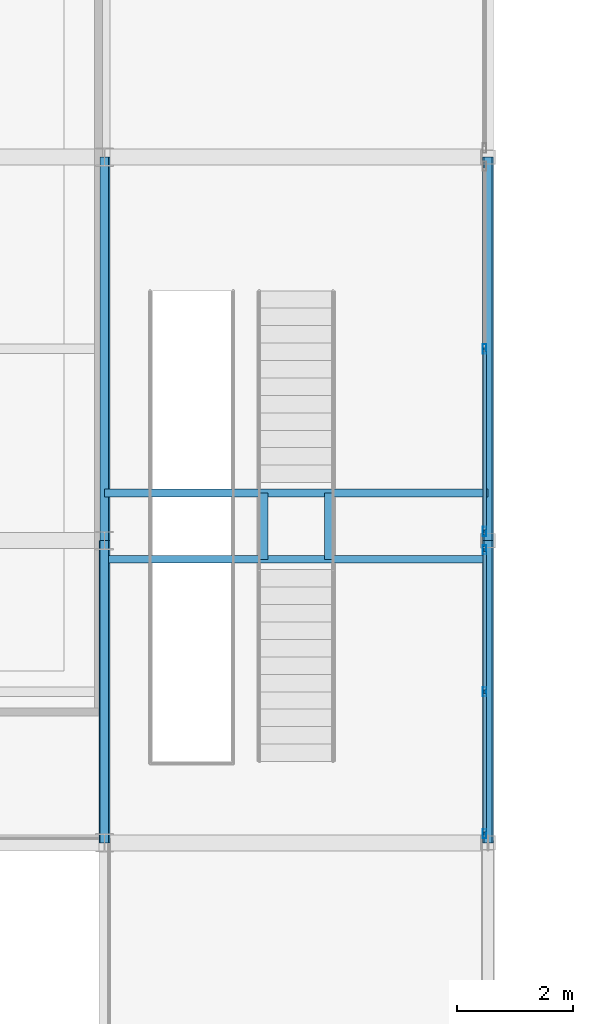
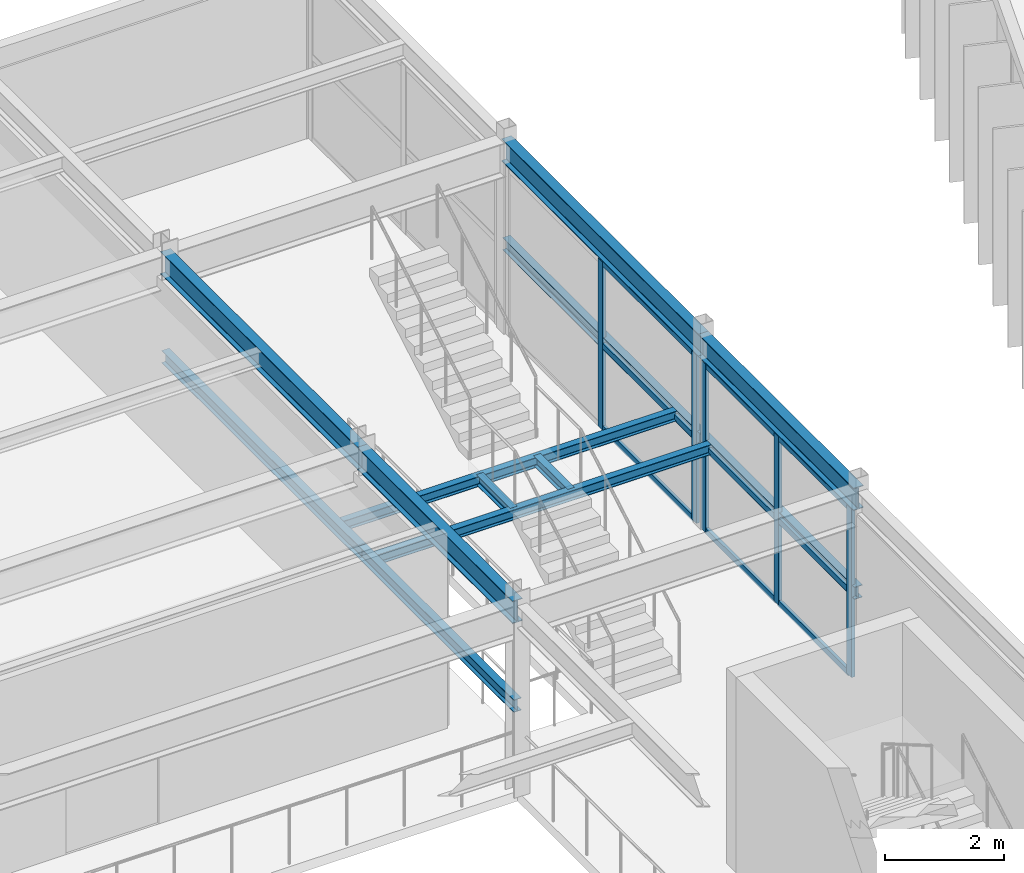
# One storey, part 40 of 147: 14 members, 12 beams, 2 elements without a shape of their own.
"""IFC4 building model written with IfcOpenShell, lengths in metres."""

from ifc_helpers import new_model, si_unit, direction, frame, origin, origin_2d, place, context, subcontext, project, spatial, hollow_rectangle, i_section, extrude, material, material_profile, profile_set, type_object, element, aggregate, save


model = new_model("IFC4")

# Units and contexts
model_context = context("Model", 3, precision=1e-05, world=origin(), true_north=direction((0.0, 1.0)))
body_context = subcontext(model_context, "Body", "Model", "MODEL_VIEW")
ifc_project = project(units=[si_unit("LENGTHUNIT", "METRE"), si_unit("AREAUNIT", "SQUARE_METRE"), si_unit("VOLUMEUNIT", "CUBIC_METRE"), si_unit("PLANEANGLEUNIT", "RADIAN"), si_unit("MASSUNIT", "GRAM", prefix="KILO")], contexts=[model_context])

# Site, building, storey
site_placement = place(None, origin())
site = spatial("IfcSite", under=ifc_project, at=site_placement, CompositionType="ELEMENT")
building_placement = place(site_placement, origin())
building = spatial("IfcBuilding", under=site, at=building_placement, Name="Karori Crest Natural Sciences Institute", CompositionType="ELEMENT")
storey_placement = place(building_placement, frame((0.0, 0.0, 9.10009765625)))
storey = spatial("IfcBuildingStorey", under=building, at=storey_placement, Name="L02", CompositionType="ELEMENT", Elevation=9.10009765625)

# Beams
ifc_material_1 = material(Name="Structural steel AS/NZS 3679.1 Grade 350", Category="steel")
ifc_material_profile_1 = material_profile(ifc_material_1, i_section(OverallWidth=0.19091796875, OverallDepth=0.4599609375, WebThickness=0.010009765625, FlangeThickness=0.01611328125, FilletRadius=0.010986328125, at=origin_2d()), Name="460UB82.1")
ifc_profile_set_1 = profile_set([ifc_material_profile_1], Name="Structural steel AS/NZS 3679.1 Grade 350")
beam_type_1 = type_object("IfcBeamType", Name="BT-06", PredefinedType="BEAM", material=ifc_profile_set_1)
beam_1_placement = place(storey_placement, frame((20.60009765625, 55.0, 3.68994140625), z_axis=(0.0, 1.0, 0.0), x_axis=(-1.0, 0.0, 0.0)))
element("IfcBeam", 1, at=beam_1_placement, inside=storey, type_object=beam_type_1, Name="Beam B-1114", PredefinedType="BEAM", context=body_context, shape_type="SweptSolid", body=[
    extrude(i_section(OverallWidth=0.19091796875, OverallDepth=0.4599609375, WebThickness=0.010009765625, FlangeThickness=0.01611328125, FilletRadius=0.010986328125, at=origin_2d()), origin(), (0.0, 0.0, 1.0), 5.199951171875),
])
beam_2_placement = place(storey_placement, frame((20.60009765625, 60.199951171875, 3.68994140625), z_axis=(0.0, 1.0, 0.0), x_axis=(-1.0, 0.0, 0.0)))
element("IfcBeam", 2, at=beam_2_placement, inside=storey, type_object=beam_type_1, Name="Beam B-1115", PredefinedType="BEAM", context=body_context, shape_type="SweptSolid", body=[
    extrude(i_section(OverallWidth=0.19091796875, OverallDepth=0.4599609375, WebThickness=0.010009765625, FlangeThickness=0.01611328125, FilletRadius=0.010986328125, at=origin_2d()), origin(), (0.0, 0.0, 1.0), 6.60009765625),
])
ifc_material_profile_2 = material_profile(ifc_material_1, i_section(OverallWidth=0.19091796875, OverallDepth=0.4599609375, WebThickness=0.010009765625, FlangeThickness=0.01611328125, FilletRadius=0.010986328125, at=origin_2d()), Name="460UB82.1")
ifc_profile_set_2 = profile_set([ifc_material_profile_2], Name="Structural steel AS/NZS 3679.1 Grade 350")
beam_type_2 = type_object("IfcBeamType", Name="BT-06-EL", PredefinedType="BEAM", material=ifc_profile_set_2)
beam_3_placement = place(storey_placement, frame((27.199951171875, 55.0, 3.68994140625), z_axis=(0.0, 1.0, 0.0), x_axis=(-1.0, 0.0, 0.0)))
element("IfcBeam", 3, at=beam_3_placement, inside=storey, type_object=beam_type_2, Name="Beam B-1121", PredefinedType="BEAM", context=body_context, shape_type="SweptSolid", body=[
    extrude(i_section(OverallWidth=0.19091796875, OverallDepth=0.4599609375, WebThickness=0.010009765625, FlangeThickness=0.01611328125, FilletRadius=0.010986328125, at=origin_2d()), origin(), (0.0, 0.0, 1.0), 5.199951171875),
])
beam_4_placement = place(storey_placement, frame((27.199951171875, 60.199951171875, 3.68994140625), z_axis=(0.0, 1.0, 0.0), x_axis=(-1.0, 0.0, 0.0)))
element("IfcBeam", 4, at=beam_4_placement, inside=storey, type_object=beam_type_2, Name="Beam B-1122", PredefinedType="BEAM", context=body_context, shape_type="SweptSolid", body=[
    extrude(i_section(OverallWidth=0.19091796875, OverallDepth=0.4599609375, WebThickness=0.010009765625, FlangeThickness=0.01611328125, FilletRadius=0.010986328125, at=origin_2d()), origin(), (0.0, 0.0, 1.0), 6.60009765625),
])
ifc_material_profile_3 = material_profile(ifc_material_1, i_section(OverallWidth=0.14599609375, OverallDepth=0.256103515625, WebThickness=0.00634765625, FlangeThickness=0.010986328125, FilletRadius=0.009033203125, at=origin_2d()), Name="250UB37.3")
ifc_profile_set_3 = profile_set([ifc_material_profile_3], Name="Structural steel AS/NZS 3679.1 Grade 350")
beam_type_3 = type_object("IfcBeamType", Name="BT-11-IL", PredefinedType="BEAM", material=ifc_profile_set_3)
beam_5_placement = place(storey_placement, frame((20.60009765625, 55.0, 1.761962890625), z_axis=(0.0, 1.0, 0.0), x_axis=(-1.0, 0.0, 0.0)))
element("IfcBeam", 5, at=beam_5_placement, inside=storey, type_object=beam_type_3, Name="Stair stringer girder ST-13", PredefinedType="BEAM", context=body_context, shape_type="SweptSolid", body=[
    extrude(i_section(OverallWidth=0.14599609375, OverallDepth=0.256103515625, WebThickness=0.00634765625, FlangeThickness=0.010986328125, FilletRadius=0.009033203125, at=origin_2d()), origin(), (0.0, 0.0, 1.0), 5.199951171875),
])
beam_6_placement = place(storey_placement, frame((20.60009765625, 60.199951171875, 1.761962890625), z_axis=(0.0, 1.0, 0.0), x_axis=(-1.0, 0.0, 0.0)))
element("IfcBeam", 6, at=beam_6_placement, inside=storey, type_object=beam_type_3, Name="Stair stringer girder ST-13", PredefinedType="BEAM", context=body_context, shape_type="SweptSolid", body=[
    extrude(i_section(OverallWidth=0.14599609375, OverallDepth=0.256103515625, WebThickness=0.00634765625, FlangeThickness=0.010986328125, FilletRadius=0.009033203125, at=origin_2d()), origin(), (0.0, 0.0, 1.0), 6.60009765625),
])
beam_7_placement = place(storey_placement, frame((27.199951171875, 55.0, 1.761962890625), z_axis=(0.0, 1.0, 0.0), x_axis=(-1.0, 0.0, 0.0)))
element("IfcBeam", 7, at=beam_7_placement, inside=storey, type_object=beam_type_3, Name="Stair stringer girder ST-13", PredefinedType="BEAM", context=body_context, shape_type="SweptSolid", body=[
    extrude(i_section(OverallWidth=0.14599609375, OverallDepth=0.256103515625, WebThickness=0.00634765625, FlangeThickness=0.010986328125, FilletRadius=0.009033203125, at=origin_2d()), origin(), (0.0, 0.0, 1.0), 5.199951171875),
])
beam_8_placement = place(storey_placement, frame((27.199951171875, 60.199951171875, 1.761962890625), z_axis=(0.0, 1.0, 0.0), x_axis=(-1.0, 0.0, 0.0)))
element("IfcBeam", 8, at=beam_8_placement, inside=storey, type_object=beam_type_3, Name="Stair stringer girder ST-13", PredefinedType="BEAM", context=body_context, shape_type="SweptSolid", body=[
    extrude(i_section(OverallWidth=0.14599609375, OverallDepth=0.256103515625, WebThickness=0.00634765625, FlangeThickness=0.010986328125, FilletRadius=0.009033203125, at=origin_2d()), origin(), (0.0, 0.0, 1.0), 6.60009765625),
])
ifc_material_profile_4 = material_profile(ifc_material_1, i_section(OverallWidth=0.134033203125, OverallDepth=0.20703125, WebThickness=0.00634765625, FlangeThickness=0.009521484375, FilletRadius=0.009033203125, at=origin_2d()), Name="200UB29.8")
ifc_profile_set_4 = profile_set([ifc_material_profile_4], Name="Structural steel AS/NZS 3679.1 Grade 350")
beam_type_4 = type_object("IfcBeamType", Name="BT-13-IL", PredefinedType="BEAM", material=ifc_profile_set_4)
for number, where, z_axis, x_axis, name in (
    (9, (20.60009765625, 59.8798828125, 1.785888671875), (1.0, 0.0, 0.0), (0.0, 1.0, 0.0), "Stair landing trimmer ST-13"),
    (10, (20.60009765625, 61.02001953125, 1.785888671875), (1.0, 0.0, 0.0), (0.0, 1.0, 0.0), "Stair landing trimmer ST-13"),
):
    element("IfcBeam", number, at=place(storey_placement, frame(where, z_axis=z_axis, x_axis=x_axis)), inside=storey, type_object=beam_type_4, Name=name, PredefinedType="BEAM", context=body_context, shape_type="SweptSolid", body=[
        extrude(i_section(OverallWidth=0.134033203125, OverallDepth=0.20703125, WebThickness=0.00634765625, FlangeThickness=0.009521484375, FilletRadius=0.009033203125, at=origin_2d()), origin(), (0.0, 0.0, 1.0), 6.599853515625),
    ])
for number, where, z_axis, x_axis, name in (
    (11, (23.344970703125, 59.8798828125, 1.785888671875), (0.0, 1.0, 0.0), (-1.0, 0.0, 0.0), "Stair landing joist ST-13"),
    (12, (24.455078125, 59.8798828125, 1.785888671875), (0.0, 1.0, 0.0), (-1.0, 0.0, 0.0), "Stair landing joist ST-13"),
):
    element("IfcBeam", number, at=place(storey_placement, frame(where, z_axis=z_axis, x_axis=x_axis)), inside=storey, type_object=beam_type_4, Name=name, PredefinedType="BEAM", context=body_context, shape_type="SweptSolid", body=[
        extrude(i_section(OverallWidth=0.134033203125, OverallDepth=0.20703125, WebThickness=0.00634765625, FlangeThickness=0.009521484375, FilletRadius=0.009033203125, at=origin_2d()), origin(), (0.0, 0.0, 1.0), 1.14013671875),
    ])

# Curtain wall, members
ifc_material_2 = material(Name="Anodised architectural aluminium 6063-T6", Category="aluminium")
curtain_wall_type = type_object("IfcCurtainWallType", Name="CWT-18", PredefinedType="NOTDEFINED", material=ifc_material_2)
curtain_wall_1_placement = place(storey_placement, origin())
curtain_wall_1 = element("IfcCurtainWall", 13, at=curtain_wall_1_placement, inside=storey, type_object=curtain_wall_type, Name="Curtain wall CW-0275", PredefinedType="NOTDEFINED")
ifc_material_profile_5 = material_profile(ifc_material_2, hollow_rectangle(XDim=0.06494140625, YDim=0.159912109375, WallThickness=0.00390625, at=origin_2d()), Name="CWM160x65x4")
ifc_profile_set_5 = profile_set([ifc_material_profile_5], Name="Anodised architectural aluminium 6063-T6")
member_type_1 = type_object("IfcMemberType", Name="CWM-01", PredefinedType="MULLION", material=ifc_profile_set_5)
member_1_placement = place(storey_placement, frame((27.139892578125, 60.04443359375, 0.0), z_axis=(0.0, 0.0, 1.0), x_axis=(1.0, 0.0, 0.0)))
member_1 = element("IfcMember", 14, at=member_1_placement, type_object=member_type_1, Name="CW-0275 mullion 1", PredefinedType="MULLION", context=body_context, shape_type="SweptSolid", body=[
    extrude(hollow_rectangle(XDim=0.06494140625, YDim=0.159912109375, WallThickness=0.00390625, at=origin_2d()), origin(), (0.0, 0.0, 1.0), 3.44482421875),
])
member_2_placement = place(storey_placement, frame((27.139892578125, 57.60009765625, 0.0), z_axis=(0.0, 0.0, 1.0), x_axis=(1.0, 0.0, 0.0)))
member_2 = element("IfcMember", 15, at=member_2_placement, type_object=member_type_1, Name="CW-0275 mullion 2", PredefinedType="MULLION", context=body_context, shape_type="SweptSolid", body=[
    extrude(hollow_rectangle(XDim=0.06494140625, YDim=0.159912109375, WallThickness=0.00390625, at=origin_2d()), origin(), (0.0, 0.0, 1.0), 3.44482421875),
])
member_3_placement = place(storey_placement, frame((27.139892578125, 55.155517578125, 0.0), z_axis=(0.0, 0.0, 1.0), x_axis=(1.0, 0.0, 0.0)))
member_3 = element("IfcMember", 16, at=member_3_placement, type_object=member_type_1, Name="CW-0275 mullion 3", PredefinedType="MULLION", context=body_context, shape_type="SweptSolid", body=[
    extrude(hollow_rectangle(XDim=0.06494140625, YDim=0.159912109375, WallThickness=0.00390625, at=origin_2d()), origin(), (0.0, 0.0, 1.0), 3.44482421875),
])

curtain_wall_2_placement = place(storey_placement, origin())
curtain_wall_2 = element("IfcCurtainWall", 17, at=curtain_wall_2_placement, inside=storey, type_object=curtain_wall_type, Name="Curtain wall CW-0276", PredefinedType="NOTDEFINED")
member_4_placement = place(storey_placement, frame((27.139892578125, 63.5, 0.0), z_axis=(0.0, 0.0, 1.0), x_axis=(1.0, 0.0, 0.0)))
member_4 = element("IfcMember", 18, at=member_4_placement, type_object=member_type_1, Name="CW-0276 mullion 2", PredefinedType="MULLION", context=body_context, shape_type="SweptSolid", body=[
    extrude(hollow_rectangle(XDim=0.06494140625, YDim=0.159912109375, WallThickness=0.00390625, at=origin_2d()), origin(), (0.0, 0.0, 1.0), 3.44482421875),
])
member_5_placement = place(storey_placement, frame((27.139892578125, 60.35546875, 0.0), z_axis=(0.0, 0.0, 1.0), x_axis=(1.0, 0.0, 0.0)))
member_5 = element("IfcMember", 19, at=member_5_placement, type_object=member_type_1, Name="CW-0276 mullion 3", PredefinedType="MULLION", context=body_context, shape_type="SweptSolid", body=[
    extrude(hollow_rectangle(XDim=0.06494140625, YDim=0.159912109375, WallThickness=0.00390625, at=origin_2d()), origin(), (0.0, 0.0, 1.0), 3.44482421875),
])

# Member
ifc_material_profile_6 = material_profile(ifc_material_2, hollow_rectangle(XDim=0.06005859375, YDim=0.1201171875, WallThickness=0.00390625, at=origin_2d()), Name="CWT120x60x4")
ifc_profile_set_6 = profile_set([ifc_material_profile_6], Name="Anodised architectural aluminium 6063-T6")
member_type_2 = type_object("IfcMemberType", Name="CWT-TR1", PredefinedType="USERDEFINED", material=ifc_profile_set_6)
member_6_placement = place(storey_placement, frame((27.139892578125, 60.011962890625, 0.02978515625), z_axis=(0.0, -1.0, 0.0), x_axis=(1.0, 0.0, 0.0)))
member_6 = element("IfcMember", 20, at=member_6_placement, type_object=member_type_2, Name="CW-0275 transom 1.1", ObjectType="TRANSOM", PredefinedType="USERDEFINED", context=body_context, shape_type="SweptSolid", body=[
    extrude(hollow_rectangle(XDim=0.06005859375, YDim=0.1201171875, WallThickness=0.00390625, at=origin_2d()), origin(), (0.0, 0.0, 1.0), 2.37939453125),
])

member_7_placement = place(storey_placement, frame((27.139892578125, 60.011962890625, 1.722412109375), z_axis=(0.0, -1.0, 0.0), x_axis=(1.0, 0.0, 0.0)))
member_7 = element("IfcMember", 21, at=member_7_placement, type_object=member_type_2, Name="CW-0275 transom 1.2", ObjectType="TRANSOM", PredefinedType="USERDEFINED", context=body_context, shape_type="SweptSolid", body=[
    extrude(hollow_rectangle(XDim=0.06005859375, YDim=0.1201171875, WallThickness=0.00390625, at=origin_2d()), origin(), (0.0, 0.0, 1.0), 2.37939453125),
])

member_8_placement = place(storey_placement, frame((27.139892578125, 60.011962890625, 3.414794921875), z_axis=(0.0, -1.0, 0.0), x_axis=(1.0, 0.0, 0.0)))
member_8 = element("IfcMember", 22, at=member_8_placement, type_object=member_type_2, Name="CW-0275 transom 1.3", ObjectType="TRANSOM", PredefinedType="USERDEFINED", context=body_context, shape_type="SweptSolid", body=[
    extrude(hollow_rectangle(XDim=0.06005859375, YDim=0.1201171875, WallThickness=0.00390625, at=origin_2d()), origin(), (0.0, 0.0, 1.0), 2.37939453125),
])

member_9_placement = place(storey_placement, frame((27.139892578125, 57.5673828125, 0.02978515625), z_axis=(0.0, -1.0, 0.0), x_axis=(1.0, 0.0, 0.0)))
member_9 = element("IfcMember", 23, at=member_9_placement, type_object=member_type_2, Name="CW-0275 transom 2.1", ObjectType="TRANSOM", PredefinedType="USERDEFINED", context=body_context, shape_type="SweptSolid", body=[
    extrude(hollow_rectangle(XDim=0.06005859375, YDim=0.1201171875, WallThickness=0.00390625, at=origin_2d()), origin(), (0.0, 0.0, 1.0), 2.37939453125),
])

member_10_placement = place(storey_placement, frame((27.139892578125, 57.5673828125, 1.722412109375), z_axis=(0.0, -1.0, 0.0), x_axis=(1.0, 0.0, 0.0)))
member_10 = element("IfcMember", 24, at=member_10_placement, type_object=member_type_2, Name="CW-0275 transom 2.2", ObjectType="TRANSOM", PredefinedType="USERDEFINED", context=body_context, shape_type="SweptSolid", body=[
    extrude(hollow_rectangle(XDim=0.06005859375, YDim=0.1201171875, WallThickness=0.00390625, at=origin_2d()), origin(), (0.0, 0.0, 1.0), 2.37939453125),
])

member_11_placement = place(storey_placement, frame((27.139892578125, 57.5673828125, 3.414794921875), z_axis=(0.0, -1.0, 0.0), x_axis=(1.0, 0.0, 0.0)))
member_11 = element("IfcMember", 25, at=member_11_placement, type_object=member_type_2, Name="CW-0275 transom 2.3", ObjectType="TRANSOM", PredefinedType="USERDEFINED", context=body_context, shape_type="SweptSolid", body=[
    extrude(hollow_rectangle(XDim=0.06005859375, YDim=0.1201171875, WallThickness=0.00390625, at=origin_2d()), origin(), (0.0, 0.0, 1.0), 2.37939453125),
])

aggregate(curtain_wall_1, [member_1, member_2, member_3, member_6, member_7, member_8, member_9, member_10, member_11])

member_12_placement = place(storey_placement, frame((27.139892578125, 63.467529296875, 0.02978515625), z_axis=(0.0, -1.0, 0.0), x_axis=(1.0, 0.0, 0.0)))
member_12 = element("IfcMember", 26, at=member_12_placement, type_object=member_type_2, Name="CW-0276 transom 2.1", ObjectType="TRANSOM", PredefinedType="USERDEFINED", context=body_context, shape_type="SweptSolid", body=[
    extrude(hollow_rectangle(XDim=0.06005859375, YDim=0.1201171875, WallThickness=0.00390625, at=origin_2d()), origin(), (0.0, 0.0, 1.0), 3.07958984375),
])

member_13_placement = place(storey_placement, frame((27.139892578125, 63.467529296875, 1.722412109375), z_axis=(0.0, -1.0, 0.0), x_axis=(1.0, 0.0, 0.0)))
member_13 = element("IfcMember", 27, at=member_13_placement, type_object=member_type_2, Name="CW-0276 transom 2.2", ObjectType="TRANSOM", PredefinedType="USERDEFINED", context=body_context, shape_type="SweptSolid", body=[
    extrude(hollow_rectangle(XDim=0.06005859375, YDim=0.1201171875, WallThickness=0.00390625, at=origin_2d()), origin(), (0.0, 0.0, 1.0), 3.07958984375),
])

member_14_placement = place(storey_placement, frame((27.139892578125, 63.467529296875, 3.414794921875), z_axis=(0.0, -1.0, 0.0), x_axis=(1.0, 0.0, 0.0)))
member_14 = element("IfcMember", 28, at=member_14_placement, type_object=member_type_2, Name="CW-0276 transom 2.3", ObjectType="TRANSOM", PredefinedType="USERDEFINED", context=body_context, shape_type="SweptSolid", body=[
    extrude(hollow_rectangle(XDim=0.06005859375, YDim=0.1201171875, WallThickness=0.00390625, at=origin_2d()), origin(), (0.0, 0.0, 1.0), 3.07958984375),
])

aggregate(curtain_wall_2, [member_4, member_5, member_12, member_13, member_14])

save(model, "model.ifc")
